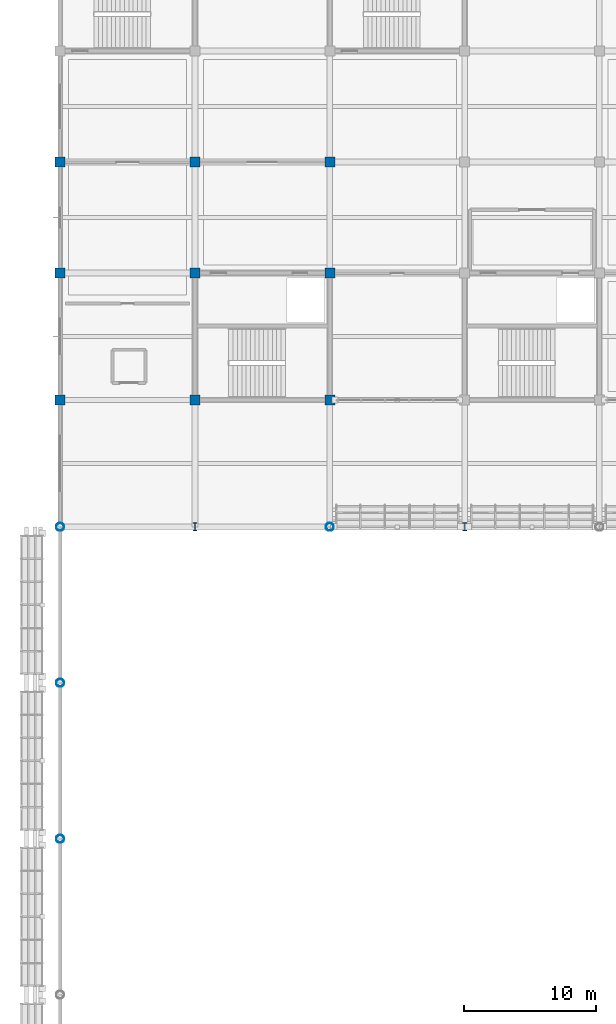
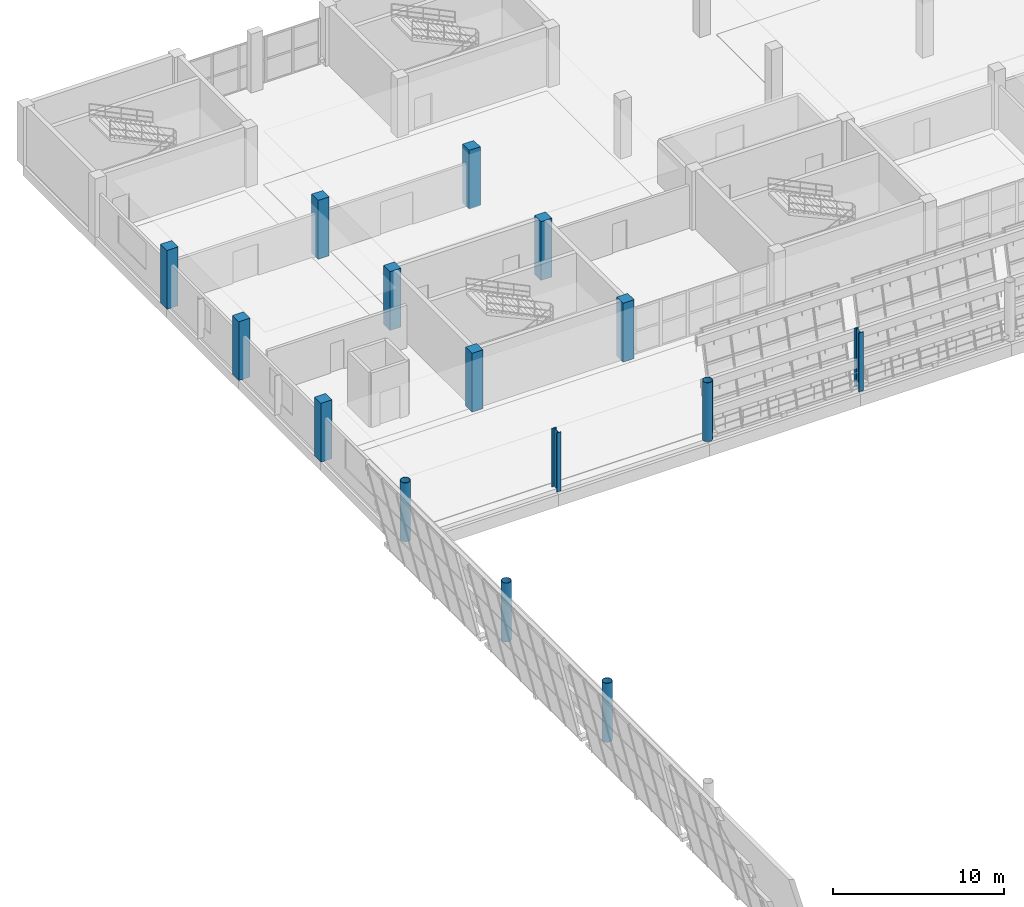
# One storey, part 5 of 157: 15 columns.
"""IFC4 building model written with IfcOpenShell, lengths in metres."""

from ifc_helpers import new_model, si_unit, direction, frame, origin, origin_2d, place, context, subcontext, project, spatial, rectangle, hollow_circle, i_section, extrude, material, material_profile, profile_set, type_object, element, save


model = new_model("IFC4")

# Units and contexts
model_context = context("Model", 3, precision=1e-05, world=origin(), true_north=direction((0.0, 1.0)))
body_context = subcontext(model_context, "Body", "Model", "MODEL_VIEW")
ifc_project = project(units=[si_unit("LENGTHUNIT", "METRE"), si_unit("AREAUNIT", "SQUARE_METRE"), si_unit("VOLUMEUNIT", "CUBIC_METRE"), si_unit("PLANEANGLEUNIT", "RADIAN"), si_unit("MASSUNIT", "GRAM", prefix="KILO")], contexts=[model_context])

# Site, building, storey
site_placement = place(None, origin())
site = spatial("IfcSite", under=ifc_project, at=site_placement, CompositionType="ELEMENT")
building_placement = place(site_placement, origin())
building = spatial("IfcBuilding", under=site, at=building_placement, Name="Brelvane Convention Centre", CompositionType="ELEMENT")
storey_placement = place(building_placement, frame((0.0, 0.0, 10.800048828125)))
storey = spatial("IfcBuildingStorey", under=building, at=storey_placement, Name="L02", CompositionType="ELEMENT", Elevation=10.800048828125)

# Columns
ifc_material_1 = material(Name="Concrete M50", Category="concrete")
ifc_material_profile_1 = material_profile(ifc_material_1, rectangle(XDim=0.75, YDim=0.75, at=origin_2d()), Name="RC 750x750")
ifc_profile_set_1 = profile_set([ifc_material_profile_1], Name="Concrete M50")
column_type_1 = type_object("IfcColumnType", Name="RC Column C-RC3 (RC 750x750)", PredefinedType="COLUMN", material=ifc_profile_set_1)
for number, where, z_axis, x_axis, name in (
    (1, (0.0, 109.199951171875, 0.0), (0.0, 0.0, 1.0), (1.0, 0.0, 0.0), "Column 1-L (L02)"),
    (2, (0.0, 118.800048828125, 0.0), (0.0, 0.0, 1.0), (1.0, 0.0, 0.0), "Column 1-M (L02)"),
    (3, (0.0, 127.199951171875, 0.0), (0.0, 0.0, 1.0), (1.0, 0.0, 0.0), "Column 1-N (L02)"),
    (4, (10.199951171875, 109.199951171875, 0.0), (0.0, 0.0, 1.0), (1.0, 0.0, 0.0), "Column 2-L (L02)"),
    (5, (10.199951171875, 118.800048828125, 0.0), (0.0, 0.0, 1.0), (1.0, 0.0, 0.0), "Column 2-M (L02)"),
    (6, (10.199951171875, 127.199951171875, 0.0), (0.0, 0.0, 1.0), (1.0, 0.0, 0.0), "Column 2-N (L02)"),
    (7, (20.39990234375, 109.199951171875, 0.0), (0.0, 0.0, 1.0), (1.0, 0.0, 0.0), "Column 3-L (L02)"),
    (8, (20.39990234375, 118.800048828125, 0.0), (0.0, 0.0, 1.0), (1.0, 0.0, 0.0), "Column 3-M (L02)"),
    (9, (20.39990234375, 127.199951171875, 0.0), (0.0, 0.0, 1.0), (1.0, 0.0, 0.0), "Column 3-N (L02)"),
):
    element("IfcColumn", number, at=place(storey_placement, frame(where, z_axis=z_axis, x_axis=x_axis)), inside=storey, type_object=column_type_1, Name=name, PredefinedType="COLUMN", context=body_context, shape_type="SweptSolid", body=[
        extrude(rectangle(XDim=0.75, YDim=0.75, at=origin_2d()), origin(), (0.0, 0.0, 1.0), 4.199951171875),
    ])
ifc_material_2 = material(Name="Steel E450 (450 MPa)", Category="steel")
ifc_material_profile_2 = material_profile(ifc_material_2, hollow_circle(Radius=0.304931640625, WallThickness=0.02490234375, at=origin_2d()), Name="CHS 610.0x25.0")
ifc_profile_set_2 = profile_set([ifc_material_profile_2], Name="Steel E450 (450 MPa)")
column_type_2 = type_object("IfcColumnType", Name="Steel Column C-ST1 (CHS 610.0x25.0)", PredefinedType="COLUMN", material=ifc_profile_set_2)
for number, where, z_axis, x_axis, name in (
    (10, (0.0, 76.0, 0.0), (0.0, 0.0, 1.0), (1.0, 0.0, 0.0), "Column 1-H (L02)"),
    (11, (0.0, 87.800048828125, 0.0), (0.0, 0.0, 1.0), (1.0, 0.0, 0.0), "Column 1-J (L02)"),
    (12, (0.0, 99.60009765625, 0.0), (0.0, 0.0, 1.0), (1.0, 0.0, 0.0), "Column 1-K (L02)"),
    (13, (20.39990234375, 99.60009765625, 0.0), (0.0, 0.0, 1.0), (1.0, 0.0, 0.0), "Column 3-K (L02)"),
):
    element("IfcColumn", number, at=place(storey_placement, frame(where, z_axis=z_axis, x_axis=x_axis)), inside=storey, type_object=column_type_2, Name=name, PredefinedType="COLUMN", context=body_context, shape_type="SweptSolid", body=[
        extrude(hollow_circle(Radius=0.304931640625, WallThickness=0.02490234375, at=origin_2d()), origin(), (0.0, 0.0, 1.0), 4.199951171875),
    ])
ifc_material_3 = material(Name="Steel E450 (450 MPa)", Category="steel")
ifc_material_profile_3 = material_profile(ifc_material_3, i_section(OverallWidth=0.300048828125, OverallDepth=0.60009765625, WebThickness=0.015380859375, FlangeThickness=0.030029296875, FilletRadius=0.027099609375, at=origin_2d()), Name="WPB 600x300")
ifc_profile_set_3 = profile_set([ifc_material_profile_3], Name="Steel E450 (450 MPa)")
column_type_3 = type_object("IfcColumnType", Name="Steel Column C-ST5 (WPB 600x300)", PredefinedType="COLUMN", material=ifc_profile_set_3)
for number, where, z_axis, x_axis, name in (
    (14, (10.199951171875, 99.60009765625, 0.0), (0.0, 0.0, 1.0), (1.0, 0.0, 0.0), "Column 2-K (L02)"),
    (15, (30.60009765625, 99.60009765625, 0.0), (0.0, 0.0, 1.0), (1.0, 0.0, 0.0), "Column 4-K (L02)"),
):
    element("IfcColumn", number, at=place(storey_placement, frame(where, z_axis=z_axis, x_axis=x_axis)), inside=storey, type_object=column_type_3, Name=name, PredefinedType="COLUMN", context=body_context, shape_type="SweptSolid", body=[
        extrude(i_section(OverallWidth=0.300048828125, OverallDepth=0.60009765625, WebThickness=0.015380859375, FlangeThickness=0.030029296875, FilletRadius=0.027099609375, at=origin_2d()), origin(), (0.0, 0.0, 1.0), 4.199951171875),
    ])

save(model, "model.ifc")
